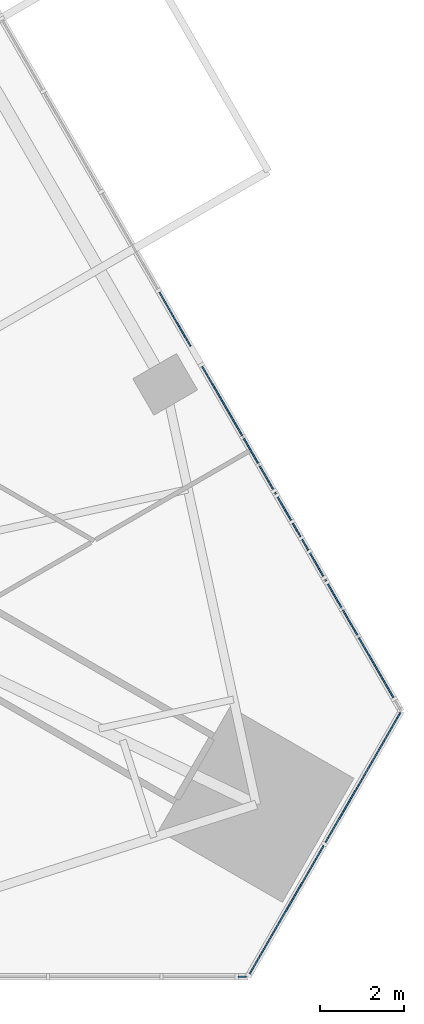
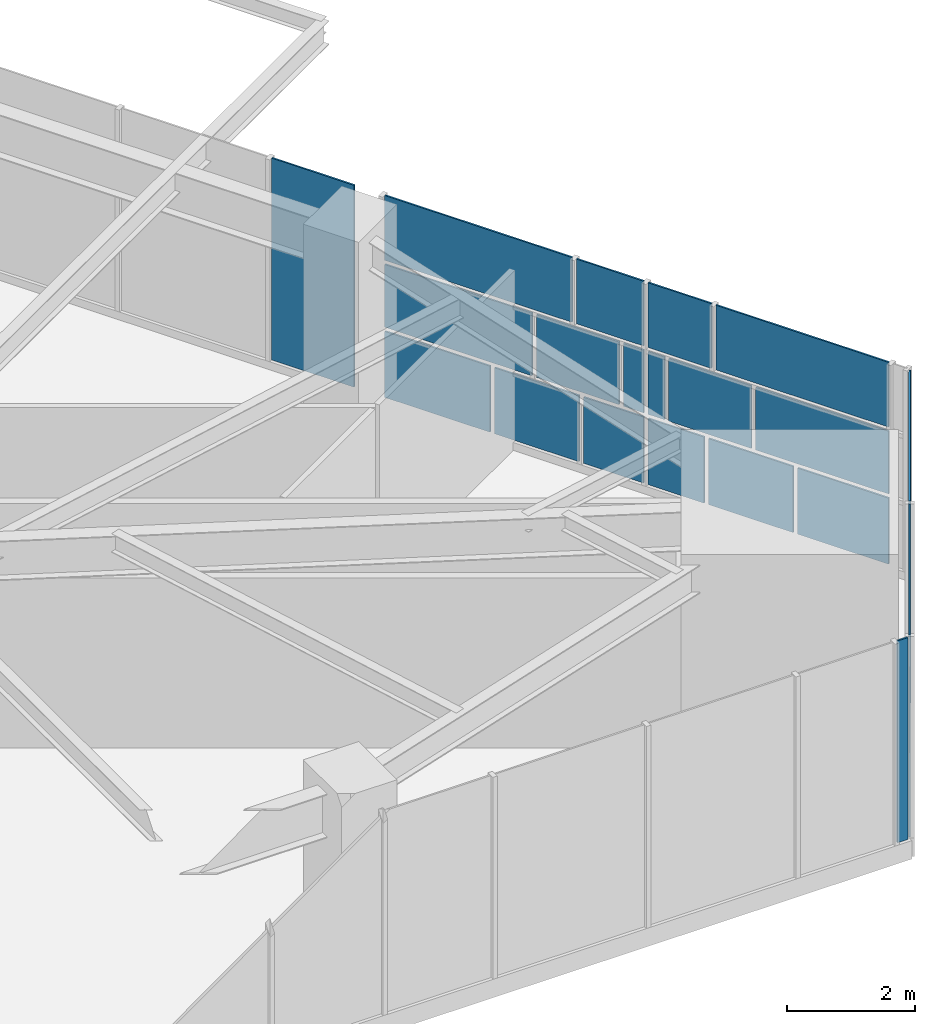
# One storey, part 15 of 26: 20 plates, 3 elements without a shape of their own.
"""IFC4 building model written with IfcOpenShell, lengths in metres."""

import ifcopenshell
import ifcopenshell.guid

model = None  # the IFC model being written
_history = None  # IfcOwnerHistory: only IFC2X3 demands one
_inside = {}  # id of a spatial element -> (the spatial element, [elements in it])
_under = {}  # id of a project, library or spatial element -> (it, [spatial elements below it])
_declared = {}  # id of a project -> (the project, [libraries it declares])
_typed = {}  # id of a type object -> (the type object, [elements of that type])
_made_of = {}  # id of a material, layer set ... -> (it, [elements and type objects made of it])


def new_model(schema):
    """Start an empty IFC model of exactly this schema.

    Asked for "IFC4X3", IfcOpenShell would pick the latest addendum, in which some entities
    have other attributes; the version numbers below select the first issue.
    IFC2X3 requires an IfcOwnerHistory on every rooted entity: one is made here for all.
    """
    global model, _history
    if schema == "IFC4X3":
        model = ifcopenshell.file(schema_version=(4, 3, 0, 0))
    else:
        model = ifcopenshell.file(schema=schema)
    _inside.clear()
    _under.clear()
    _declared.clear()
    _typed.clear()
    _made_of.clear()
    _history = None
    if model.schema == "IFC2X3":
        org = make("IfcOrganization", Name="unknown")
        user = make(
            "IfcPersonAndOrganization",
            ThePerson=make("IfcPerson", FamilyName="unknown"),
            TheOrganization=org,
        )
        app = make(
            "IfcApplication",
            ApplicationDeveloper=org,
            Version="unknown",
            ApplicationFullName="unknown",
            ApplicationIdentifier="unknown",
        )
        _history = make(
            "IfcOwnerHistory",
            OwningUser=user,
            OwningApplication=app,
            ChangeAction="ADDED",
            CreationDate=0,
        )
    return model


def make(cls, **values):
    """One entity of the class cls with the attributes given. An attribute that is None is left unset."""
    return model.create_entity(
        cls, **{name: value for name, value in values.items() if value is not None}
    )


def rooted(cls, **values):
    """An entity with a GlobalId (a new one), such as an element, a storey or a relation."""
    return make(cls, GlobalId=ifcopenshell.guid.new(), OwnerHistory=_history, **values)


def si_unit(unit_type, name, prefix=None):
    """IfcSIUnit, for example si_unit("LENGTHUNIT", "METRE", prefix="MILLI")."""
    return make("IfcSIUnit", UnitType=unit_type, Prefix=prefix, Name=name)


def assignment(units):
    """IfcUnitAssignment: the units of a project."""
    return None if units is None else make("IfcUnitAssignment", Units=units)


def point(xyz):
    """IfcCartesianPoint."""
    return None if xyz is None else make("IfcCartesianPoint", Coordinates=xyz)


def direction(xyz):
    """IfcDirection."""
    return None if xyz is None else make("IfcDirection", DirectionRatios=xyz)


def frame(location, z_axis=None, x_axis=None):
    """IfcAxis2Placement3D, a coordinate frame: its origin and axes. An axis left out is left unset."""
    return make(
        "IfcAxis2Placement3D",
        Location=point(location),
        Axis=direction(z_axis),
        RefDirection=direction(x_axis),
    )


def origin():
    """The frame at (0, 0, 0) with its axes left unset."""
    return frame((0.0, 0.0, 0.0))


def place(relative_to, where):
    """IfcLocalPlacement: puts the frame where relative to a parent placement (None: the world)."""
    return make(
        "IfcLocalPlacement", PlacementRelTo=relative_to, RelativePlacement=where
    )


def context(
    kind, dimensions, precision=None, world=None, true_north=None, identifier=None
):
    """IfcGeometricRepresentationContext, for example the 3D "Model" context."""
    return make(
        "IfcGeometricRepresentationContext",
        ContextIdentifier=identifier,
        ContextType=kind,
        CoordinateSpaceDimension=dimensions,
        Precision=precision,
        WorldCoordinateSystem=world,
        TrueNorth=true_north,
    )


def subcontext(parent, identifier, kind, view, scale=None):
    """IfcGeometricRepresentationSubContext, for example "Body" below "Model"."""
    return make(
        "IfcGeometricRepresentationSubContext",
        ContextIdentifier=identifier,
        ContextType=kind,
        ParentContext=parent,
        TargetScale=scale,
        TargetView=view,
    )


def project(units=None, contexts=None):
    """IfcProject with its units and contexts."""
    return rooted(
        "IfcProject",
        Name="project",
        RepresentationContexts=contexts,
        UnitsInContext=assignment(units),
    )


def spatial(cls, under=None, at=None, **own):
    """A site, building, storey or space (cls), placed at a placement, below another one or the project."""
    s = rooted(cls, ObjectPlacement=at, **own)
    if under is not None:
        _under.setdefault(under.id(), (under, []))[1].append(s)
    return s


def polyline(points):
    """IfcPolyline through the points."""
    return make("IfcPolyline", Points=[point(p) for p in points])


def outline(outer, holes=None, kind="AREA"):
    """IfcArbitraryClosedProfileDef: a profile drawn as a closed curve; with holes, ...WithVoids."""
    if holes is None:
        return make("IfcArbitraryClosedProfileDef", ProfileType=kind, OuterCurve=outer)
    return make(
        "IfcArbitraryProfileDefWithVoids",
        ProfileType=kind,
        OuterCurve=outer,
        InnerCurves=holes,
    )


def extrude(swept, where, along, depth):
    """IfcExtrudedAreaSolid: the profile swept, set in the frame where, extruded along a direction by depth."""
    return make(
        "IfcExtrudedAreaSolid",
        SweptArea=swept,
        Position=where,
        ExtrudedDirection=direction(along),
        Depth=depth,
    )


def shape(context_of_items, identifier, shape_type, items):
    """IfcShapeRepresentation: the items that make up one representation, for example the "Body"."""
    return make(
        "IfcShapeRepresentation",
        ContextOfItems=context_of_items,
        RepresentationIdentifier=identifier,
        RepresentationType=shape_type,
        Items=items,
    )


def material(Name=None, Category=None):
    """IfcMaterial."""
    return make("IfcMaterial", Name=Name, Category=Category)


def layer(
    of_material, thickness, ventilated=None, Name=None, Category=None, Priority=None
):
    """IfcMaterialLayer: one layer of a wall or slab, of a material (None: an air gap)."""
    return make(
        "IfcMaterialLayer",
        Material=of_material,
        LayerThickness=thickness,
        IsVentilated=ventilated,
        Name=Name,
        Category=Category,
        Priority=Priority,
    )


def layer_set(layers, Name=None):
    """IfcMaterialLayerSet."""
    return make("IfcMaterialLayerSet", MaterialLayers=layers, LayerSetName=Name)


def made_of(thing, what):
    """Note that an element or type object is made of a material, layer set ...; save() writes the relation."""
    if what is not None:
        _made_of.setdefault(what.id(), (what, []))[1].append(thing)
    return thing


def type_object(cls, material=None, **own):
    """A type object (cls), such as IfcWallType, which elements share."""
    return made_of(rooted(cls, **own), material)


def element(
    cls,
    number,
    at=None,
    inside=None,
    cuts=None,
    type_object=None,
    material=None,
    context=None,
    identifier="Body",
    shape_type=None,
    held_by="IfcProductDefinitionShape",
    body=None,
    shapes=None,
    **own,
):
    """One element of the class cls, such as IfcWall. Its Tag is "e" and its number.

    at: its placement. inside: the storey or other place that contains it. cuts: it is an
    opening in that element (IfcRelVoidsElement). A single representation is given by context,
    identifier, shape_type and body (its items); several are given by shapes. held_by: the class
    of the entity that holds the representations. save() writes the other relations.
    """
    e = rooted(cls, Tag="e%d" % number, ObjectPlacement=at, **own)
    if body is not None:
        shapes = [shape(context, identifier, shape_type, body)]
    if shapes is not None:
        e.Representation = make(held_by, Representations=shapes)
    if inside is not None:
        _inside.setdefault(inside.id(), (inside, []))[1].append(e)
    if cuts is not None:
        rooted(
            "IfcRelVoidsElement", RelatingBuildingElement=cuts, RelatedOpeningElement=e
        )
    if type_object is not None:
        _typed.setdefault(type_object.id(), (type_object, []))[1].append(e)
    return made_of(e, material)


def aggregate(whole, parts):
    """IfcRelAggregates: a whole, such as a stair, and the parts it consists of."""
    return rooted("IfcRelAggregates", RelatingObject=whole, RelatedObjects=parts)


def save(model, path):
    """Write the relations noted so far, then the file.

    IfcRelAggregates (storeys below a building ...), IfcRelContainedInSpatialStructure (elements
    in a storey), IfcRelDefinesByType, IfcRelAssociatesMaterial and IfcRelDeclares: one each for
    every whole, place, type object, material and project.
    """
    for whole, parts in _under.values():
        aggregate(whole, parts)
    for where, things in _inside.values():
        rooted(
            "IfcRelContainedInSpatialStructure",
            RelatedElements=things,
            RelatingStructure=where,
        )
    for kind, things in _typed.values():
        rooted("IfcRelDefinesByType", RelatedObjects=things, RelatingType=kind)
    for what, things in _made_of.values():
        rooted("IfcRelAssociatesMaterial", RelatedObjects=things, RelatingMaterial=what)
    for by, libraries in _declared.values():
        rooted("IfcRelDeclares", RelatingContext=by, RelatedDefinitions=libraries)
    model.write(path)


model = new_model("IFC4")

# Units and contexts
model_context = context("Model", 3, precision=1e-05, world=origin(), true_north=direction((0.0, 1.0)))
body_context = subcontext(model_context, "Body", "Model", "MODEL_VIEW")
ifc_project = project(units=[si_unit("LENGTHUNIT", "METRE"), si_unit("AREAUNIT", "SQUARE_METRE"), si_unit("VOLUMEUNIT", "CUBIC_METRE"), si_unit("PLANEANGLEUNIT", "RADIAN"), si_unit("MASSUNIT", "GRAM", prefix="KILO")], contexts=[model_context])

# Site, building, storey
site_placement = place(None, origin())
site = spatial("IfcSite", under=ifc_project, at=site_placement, CompositionType="ELEMENT")
building_placement = place(site_placement, origin())
building = spatial("IfcBuilding", under=site, at=building_placement, Name="Firuza Gate Tower and Library", CompositionType="ELEMENT")
storey_placement = place(building_placement, frame((0.0, 0.0, 77.800048828125)))
storey = spatial("IfcBuildingStorey", under=building, at=storey_placement, Name="L17", CompositionType="ELEMENT", Elevation=77.800048828125)

# Curtain wall, plates
ifc_material_1 = material(Name="Aluminium 6063-T6", Category="aluminium")
ifc_layer_1 = layer(ifc_material_1, 0.14990234375)
ifc_layer_set_1 = layer_set([ifc_layer_1], Name="Corner curtain wall, chamfers")
curtain_wall_type_1 = type_object("IfcCurtainWallType", Name="Corner curtain wall, chamfers", PredefinedType="NOTDEFINED", material=ifc_layer_set_1)
placement = place(storey_placement, origin())
curtain_wall_1 = element("IfcCurtainWall", 1, at=placement, inside=storey, type_object=curtain_wall_type_1, Name="CW4 L17 SE corner", PredefinedType="NOTDEFINED")
ifc_material_2 = material(Name="Fritted glass", Category="glass")
ifc_layer_2 = layer(ifc_material_2, 0.030029296875)
ifc_layer_set_2 = layer_set([ifc_layer_2], Name="Fritted glass unit, corners")
plate_type_1 = type_object("IfcPlateType", Name="Fritted glass unit, corners", PredefinedType="CURTAIN_PANEL", material=ifc_layer_set_2)
plate_1_placement = place(storey_placement, frame((103.5322265625, 54.3662109375, 0.14990234375), z_axis=(0.866046390552, -0.49996364809, 0.0), x_axis=(0.49996364809, 0.866046390552, 0.0)))
plate_1 = element("IfcPlate", 2, at=plate_1_placement, type_object=plate_type_1, Name="Glass unit", PredefinedType="CURTAIN_PANEL", context=body_context, shape_type="SweptSolid", body=[
    extrude(outline(polyline([(0.0, 0.0), (3.563247342942594, 0.0), (3.563247342942594, 3.85009765625), (0.0, 3.85009765625), (0.0, 0.0)])), origin(), (0.0, 0.0, -1.0), 0.030029296875),
])
plate_2_placement = place(storey_placement, frame((105.353759765625, 57.521484375, 0.14990234375), z_axis=(0.865999591991, -0.500044704672, 0.0), x_axis=(0.500044704672, 0.865999591991, 0.0)))
plate_2 = element("IfcPlate", 3, at=plate_2_placement, type_object=plate_type_1, Name="Glass unit", PredefinedType="CURTAIN_PANEL", context=body_context, shape_type="SweptSolid", body=[
    extrude(outline(polyline([(0.0, 0.0), (3.563157982880169, 0.0), (3.563157982880169, 3.85009765625), (0.0, 3.85009765625), (0.0, 0.0)])), origin(), (0.0, 0.0, -1.0), 0.030029296875),
])
aggregate(curtain_wall_1, [plate_1, plate_2])

ifc_material_3 = material(Name="Aluminium 6063-T6", Category="aluminium")
ifc_layer_3 = layer(ifc_material_3, 0.14990234375)
ifc_layer_set_3 = layer_set([ifc_layer_3], Name="Unitised curtain wall, offices")
curtain_wall_type_2 = type_object("IfcCurtainWallType", Name="Unitised curtain wall, offices", PredefinedType="NOTDEFINED", material=ifc_layer_set_3)
curtain_wall_2 = element("IfcCurtainWall", 4, at=placement, inside=storey, type_object=curtain_wall_type_2, Name="CW1 L17 E face", PredefinedType="NOTDEFINED")
ifc_material_4 = material(Name="Fritted glass", Category="glass")
ifc_layer_4 = layer(ifc_material_4, 0.030029296875)
ifc_layer_set_4 = layer_set([ifc_layer_4], Name="Fritted glass unit, offices")
plate_type_2 = type_object("IfcPlateType", Name="Fritted glass unit, offices", PredefinedType="CURTAIN_PANEL", material=ifc_layer_set_4)
plate_3_placement = place(storey_placement, frame((106.969970703125, 60.978271484375, 0.14990234375), z_axis=(0.866046869545, 0.499962818368, 0.0), x_axis=(-0.499962818368, 0.866046869545, 0.0)))
plate_3 = element("IfcPlate", 5, at=plate_3_placement, type_object=plate_type_2, Name="Glass unit", PredefinedType="CURTAIN_PANEL", context=body_context, shape_type="SweptSolid", body=[
    extrude(outline(polyline([(0.0, 0.0), (1.6412353288644128, 0.0), (1.6412353288644128, 1.260009765625), (0.0, 1.260009765625), (0.0, 0.0)])), origin(), (0.0, 0.0, -1.0), 0.030029296875),
])
plate_4_placement = place(storey_placement, frame((105.306640625, 63.859130859375, 0.14990234375), z_axis=(0.866053057547, 0.499952099219, 0.0), x_axis=(-0.499952099219, 0.866053057547, 0.0)))
plate_4 = element("IfcPlate", 6, at=plate_4_placement, type_object=plate_type_2, Name="Glass unit", PredefinedType="CURTAIN_PANEL", context=body_context, shape_type="SweptSolid", body=[
    extrude(outline(polyline([(0.0, 0.0), (1.0123040115557327, 0.0), (1.0123040115557327, 1.260009765625), (0.0, 1.260009765625), (0.0, 0.0)])), origin(), (0.0, 0.0, -1.0), 0.030029296875),
])
plate_5_placement = place(storey_placement, frame((106.969970703125, 60.978271484375, 1.489990234375), z_axis=(0.866022819857, 0.500004475467, 0.0), x_axis=(-0.500004475467, 0.866022819857, 0.0)))
plate_5 = element("IfcPlate", 7, at=plate_5_placement, type_object=plate_type_2, Name="Glass unit", PredefinedType="CURTAIN_PANEL", context=body_context, shape_type="SweptSolid", body=[
    extrude(outline(polyline([(0.0, 0.0), (2.3979277550589817, 0.0), (2.3979277550589817, 1.195068359375), (0.0, 1.195068359375), (0.0, 0.0)])), origin(), (0.0, 0.0, -1.0), 0.030029296875),
])
plate_6_placement = place(storey_placement, frame((104.94677734375, 64.482666015625, 1.489990234375), z_axis=(0.865921333826, 0.500180211149, 0.0), x_axis=(-0.500180211149, 0.865921333826, 0.0)))
plate_6 = element("IfcPlate", 8, at=plate_6_placement, type_object=plate_type_2, Name="Glass unit", PredefinedType="CURTAIN_PANEL", context=body_context, shape_type="SweptSolid", body=[
    extrude(outline(polyline([(0.0, 0.0), (0.2923750902479929, 0.0), (0.2923750902479929, 1.195068359375), (0.0, 1.195068359375), (0.0, 0.0)])), origin(), (0.0, 0.0, -1.0), 0.030029296875),
])
plate_7_placement = place(storey_placement, frame((106.969970703125, 60.978271484375, 2.764892578125), z_axis=(0.866022576681, 0.500004896655, 0.0), x_axis=(-0.500004896655, 0.866022576681, 0.0)))
plate_7 = element("IfcPlate", 9, at=plate_7_placement, type_object=plate_type_2, Name="Glass unit", PredefinedType="CURTAIN_PANEL", context=body_context, shape_type="SweptSolid", body=[
    extrude(outline(polyline([(0.0, 0.0), (3.11764524918365, 0.0), (3.11764524918365, 1.235107421875), (0.0, 1.235107421875), (0.0, 0.0)])), origin(), (0.0, 0.0, -1.0), 0.030029296875),
])
plate_8_placement = place(storey_placement, frame((104.760498046875, 64.80517578125, 0.14990234375), z_axis=(0.865975591052, 0.50008626826, 0.0), x_axis=(-0.50008626826, 0.865975591052, 0.0)))
plate_8 = element("IfcPlate", 10, at=plate_8_placement, type_object=plate_type_2, Name="Glass unit", PredefinedType="CURTAIN_PANEL", context=body_context, shape_type="SweptSolid", body=[
    extrude(outline(polyline([(0.0, 0.0), (1.0842855773904514, 0.0), (1.0842855773904514, 1.260009765625), (0.0, 1.260009765625), (0.0, 0.0)])), origin(), (0.0, 0.0, -1.0), 0.030029296875),
])
plate_9_placement = place(storey_placement, frame((103.375732421875, 67.20361328125, 0.14990234375), z_axis=(0.866020851292, 0.500007885066, 0.0), x_axis=(-0.500007885066, 0.866020851292, 0.0)))
plate_9 = element("IfcPlate", 11, at=plate_9_placement, type_object=plate_type_2, Name="Glass unit", PredefinedType="CURTAIN_PANEL", context=body_context, shape_type="SweptSolid", body=[
    extrude(outline(polyline([(0.0, 0.0), (1.9003606560628763, 0.0), (1.9003606560628763, 1.260009765625), (0.0, 1.260009765625), (0.0, 0.0)])), origin(), (0.0, 0.0, -1.0), 0.030029296875),
])
plate_10_placement = place(storey_placement, frame((104.760498046875, 64.80517578125, 1.489990234375), z_axis=(0.866174433305, 0.499741784413, 0.0), x_axis=(-0.499741784413, 0.866174433305, 0.0)))
plate_10 = element("IfcPlate", 12, at=plate_10_placement, type_object=plate_type_2, Name="Glass unit", PredefinedType="CURTAIN_PANEL", context=body_context, shape_type="SweptSolid", body=[
    extrude(outline(polyline([(0.0, 0.0), (0.364446023788041, 0.0), (0.364446023788041, 1.195068359375), (0.0, 1.195068359375), (0.0, 0.0)])), origin(), (0.0, 0.0, -1.0), 0.030029296875),
])
plate_11_placement = place(storey_placement, frame((103.75390625, 66.548583984375, 1.489990234375), z_axis=(0.866023371876, 0.500003519352, 0.0), x_axis=(-0.500003519352, 0.866023371876, 0.0)))
plate_11 = element("IfcPlate", 13, at=plate_11_placement, type_object=plate_type_2, Name="Glass unit", PredefinedType="CURTAIN_PANEL", context=body_context, shape_type="SweptSolid", body=[
    extrude(outline(polyline([(0.0, 0.0), (2.656719581385353, 0.0), (2.656719581385353, 1.195068359375), (0.0, 1.195068359375), (0.0, 0.0)])), origin(), (0.0, 0.0, -1.0), 0.030029296875),
])
plate_12_placement = place(storey_placement, frame((104.114013671875, 65.925048828125, 2.764892578125), z_axis=(0.866009797669, 0.500027029611, 0.0), x_axis=(-0.500027029611, 0.866009797669, 0.0)))
plate_12 = element("IfcPlate", 14, at=plate_12_placement, type_object=plate_type_2, Name="Glass unit", PredefinedType="CURTAIN_PANEL", context=body_context, shape_type="SweptSolid", body=[
    extrude(outline(polyline([(0.0, 0.0), (3.3767705794108567, 0.0), (3.3767705794108567, 1.2351074218750002), (0.0, 1.2351074218750002), (0.0, 0.0)])), origin(), (0.0, 0.0, -1.0), 0.030029296875),
])
plate_13_placement = place(storey_placement, frame((102.147705078125, 69.330810546875, 0.14990234375), z_axis=(0.86603470313, 0.499983892715, 0.0), x_axis=(-0.499983892715, 0.86603470313, 0.0)))
plate_13 = element("IfcPlate", 15, at=plate_13_placement, type_object=plate_type_2, Name="Glass unit", PredefinedType="CURTAIN_PANEL", context=body_context, shape_type="SweptSolid", body=[
    extrude(outline(polyline([(0.0, 0.0), (1.4819813351427495, 0.0), (1.4819813351427495, 3.8500976562499996), (0.0, 3.8500976562499996), (0.0, 0.0)])), origin(), (0.0, 0.0, -1.0), 0.030029296875),
])

# Curtain wall, plate
curtain_wall_3 = element("IfcCurtainWall", 16, at=placement, inside=storey, type_object=curtain_wall_type_2, Name="CW1 L17 S face", PredefinedType="NOTDEFINED")
ifc_material_5 = material(Name="Glazed ceramic tile")
ifc_layer_5 = layer(ifc_material_5, 0.030029296875)
ifc_layer_set_5 = layer_set([ifc_layer_5], Name="Opaque ceramic panel, offices")
plate_type_3 = type_object("IfcPlateType", Name="Opaque ceramic panel, offices", PredefinedType="CURTAIN_PANEL", material=ifc_layer_set_5)
plate_14_placement = place(storey_placement, frame((103.273193359375, 54.323974609375, 0.14990234375), z_axis=(0.0, -1.0, 0.0), x_axis=(1.0, 0.0, 0.0)))
plate_14 = element("IfcPlate", 17, at=plate_14_placement, type_object=plate_type_3, Name="Opaque ceramic panel", PredefinedType="CURTAIN_PANEL", context=body_context, shape_type="SweptSolid", body=[
    extrude(outline(polyline([(0.0, 0.0), (0.18603515625, 0.0), (0.18603515625, 3.85009765625), (0.0, 3.85009765625), (0.0, 0.0)])), origin(), (0.0, 0.0, -1.0), 0.030029296875),
])
aggregate(curtain_wall_3, [plate_14])

# Plate
plate_15_placement = place(storey_placement, frame((106.109375, 62.468994140625, 0.14990234375), z_axis=(0.865988315859, 0.50006423267, 0.0), x_axis=(-0.50006423267, 0.865988315859, 0.0)))
plate_15 = element("IfcPlate", 18, at=plate_15_placement, type_object=plate_type_3, Name="Opaque ceramic panel", PredefinedType="CURTAIN_PANEL", context=body_context, shape_type="SweptSolid", body=[
    extrude(outline(polyline([(0.0, 0.0), (1.5251946903461484, 0.0), (1.5251946903461484, 1.2600097656250002), (0.0, 1.2600097656250002), (0.0, 0.0)])), origin(), (0.0, 0.0, -1.0), 0.030029296875),
])

plate_16_placement = place(storey_placement, frame((105.73095703125, 63.124267578125, 1.489990234375), z_axis=(0.866054481515, 0.499949632511, 0.0), x_axis=(-0.499949632511, 0.866054481515, 0.0)))
plate_16 = element("IfcPlate", 19, at=plate_16_placement, type_object=plate_type_3, Name="Opaque ceramic panel", PredefinedType="CURTAIN_PANEL", context=body_context, shape_type="SweptSolid", body=[
    extrude(outline(polyline([(0.0, 0.0), (1.4884311870831117, 0.0), (1.4884311870831117, 1.195068359375), (0.0, 1.195068359375), (0.0, 0.0)])), origin(), (0.0, 0.0, -1.0), 0.030029296875),
])

plate_17_placement = place(storey_placement, frame((105.37109375, 63.74755859375, 2.764892578125), z_axis=(0.866035954271, 0.499981725576, 0.0), x_axis=(-0.499981725576, 0.866035954271, 0.0)))
plate_17 = element("IfcPlate", 20, at=plate_17_placement, type_object=plate_type_3, Name="Opaque ceramic panel", PredefinedType="CURTAIN_PANEL", context=body_context, shape_type="SweptSolid", body=[
    extrude(outline(polyline([(0.0, 0.0), (1.1411549891503991, 0.0), (1.1411549891503991, 1.235107421875), (0.0, 1.235107421875), (0.0, 0.0)])), origin(), (0.0, 0.0, -1.0), 0.030029296875),
])

plate_18_placement = place(storey_placement, frame((104.178466796875, 65.8134765625, 0.14990234375), z_axis=(0.865988315859, 0.50006423267, 0.0), x_axis=(-0.50006423267, 0.865988315859, 0.0)))
plate_18 = element("IfcPlate", 21, at=plate_18_placement, type_object=plate_type_3, Name="Opaque ceramic panel", PredefinedType="CURTAIN_PANEL", context=body_context, shape_type="SweptSolid", body=[
    extrude(outline(polyline([(0.0, 0.0), (1.5251946903461484, 0.0), (1.5251946903461484, 1.2600097656250002), (0.0, 1.2600097656250002), (0.0, 0.0)])), origin(), (0.0, 0.0, -1.0), 0.030029296875),
])

plate_19_placement = place(storey_placement, frame((104.538330078125, 65.18994140625, 1.489990234375), z_axis=(0.866024464444, 0.500001626982, 0.0), x_axis=(-0.500001626982, 0.866024464444, 0.0)))
plate_19 = element("IfcPlate", 22, at=plate_19_placement, type_object=plate_type_3, Name="Opaque ceramic panel", PredefinedType="CURTAIN_PANEL", context=body_context, shape_type="SweptSolid", body=[
    extrude(outline(polyline([(0.0, 0.0), (1.488764686864351, 0.0), (1.488764686864351, 1.195068359375), (0.0, 1.195068359375), (0.0, 0.0)])), origin(), (0.0, 0.0, -1.0), 0.030029296875),
])

plate_20_placement = place(storey_placement, frame((104.760498046875, 64.80517578125, 2.764892578125), z_axis=(0.866054877631, 0.499948946325, 0.0), x_axis=(-0.499948946325, 0.866054877631, 0.0)))
plate_20 = element("IfcPlate", 23, at=plate_20_placement, type_object=plate_type_3, Name="Opaque ceramic panel", PredefinedType="CURTAIN_PANEL", context=body_context, shape_type="SweptSolid", body=[
    extrude(outline(polyline([(0.0, 0.0), (1.2130144826947467, 0.0), (1.2130144826947467, 1.2351074218749998), (0.0, 1.2351074218749998), (0.0, 0.0)])), origin(), (0.0, 0.0, -1.0), 0.030029296875),
])

aggregate(curtain_wall_2, [plate_3, plate_15, plate_4, plate_5, plate_16, plate_6, plate_7, plate_17, plate_8, plate_18, plate_9, plate_10, plate_19, plate_11, plate_20, plate_12, plate_13])

save(model, "model.ifc")
